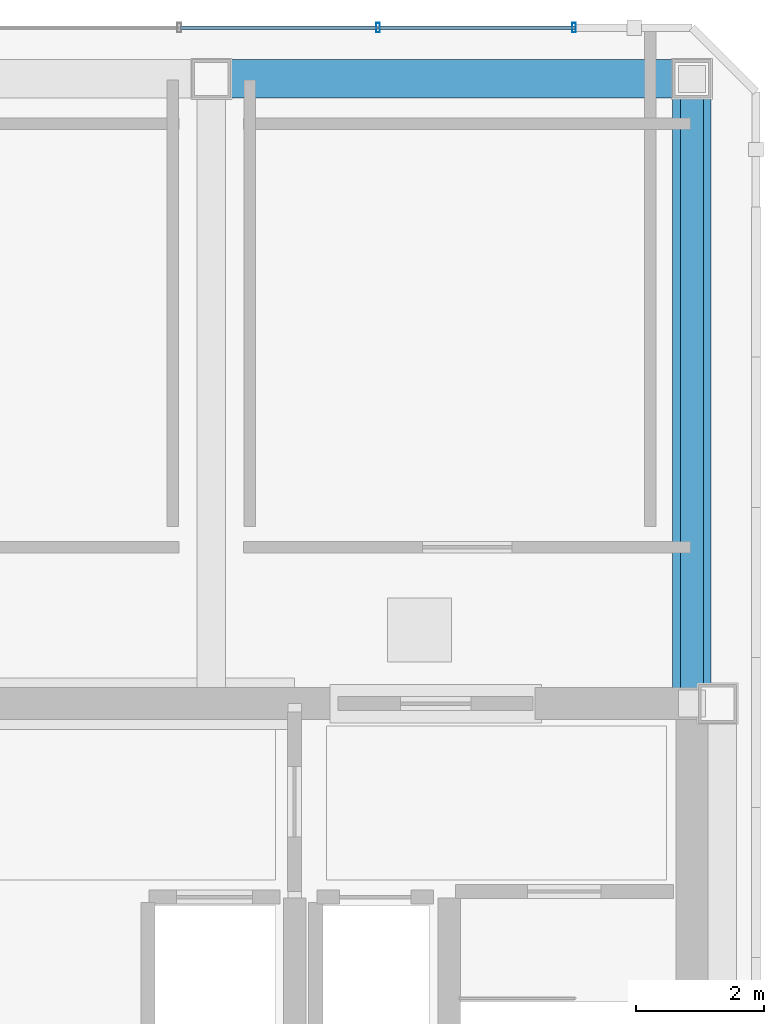
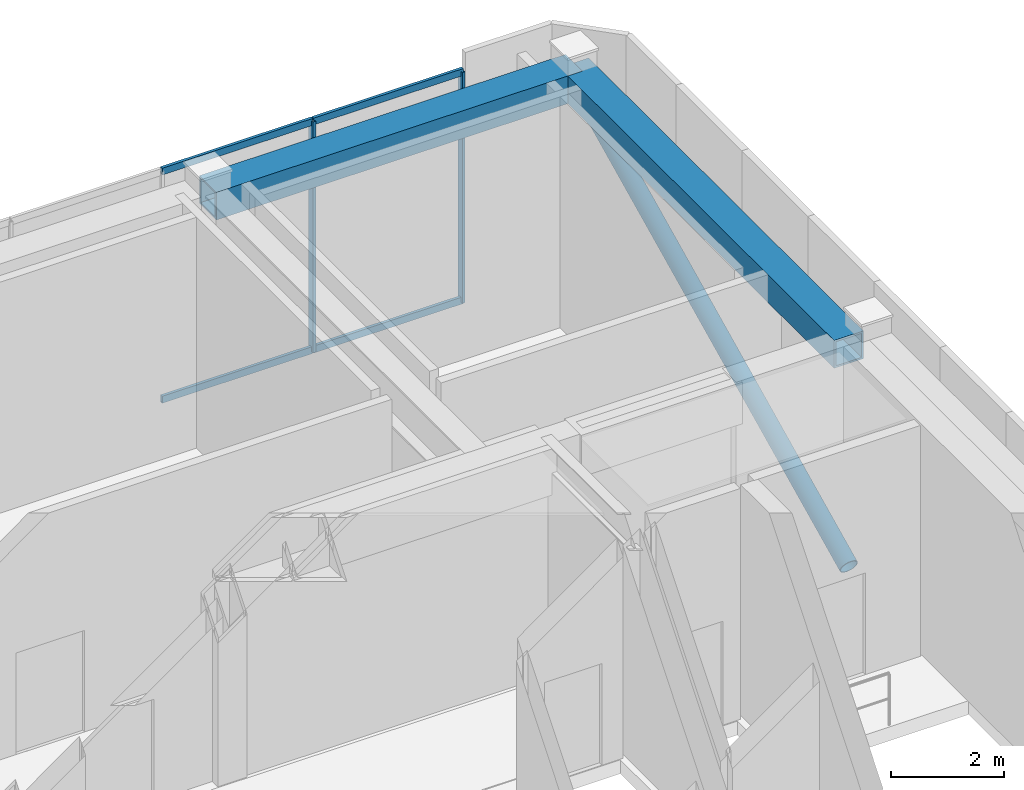
# One storey, part 6 of 9: 7 members, 2 beams, 1 element without a shape of its own.
"""IFC4 building model written with IfcOpenShell, lengths in metres."""

import ifcopenshell
import ifcopenshell.guid

model = None  # the IFC model being written
_history = None  # IfcOwnerHistory: only IFC2X3 demands one
_inside = {}  # id of a spatial element -> (the spatial element, [elements in it])
_under = {}  # id of a project, library or spatial element -> (it, [spatial elements below it])
_declared = {}  # id of a project -> (the project, [libraries it declares])
_typed = {}  # id of a type object -> (the type object, [elements of that type])
_made_of = {}  # id of a material, layer set ... -> (it, [elements and type objects made of it])


def new_model(schema):
    """Start an empty IFC model of exactly this schema.

    Asked for "IFC4X3", IfcOpenShell would pick the latest addendum, in which some entities
    have other attributes; the version numbers below select the first issue.
    IFC2X3 requires an IfcOwnerHistory on every rooted entity: one is made here for all.
    """
    global model, _history
    if schema == "IFC4X3":
        model = ifcopenshell.file(schema_version=(4, 3, 0, 0))
    else:
        model = ifcopenshell.file(schema=schema)
    _inside.clear()
    _under.clear()
    _declared.clear()
    _typed.clear()
    _made_of.clear()
    _history = None
    if model.schema == "IFC2X3":
        org = make("IfcOrganization", Name="unknown")
        user = make(
            "IfcPersonAndOrganization",
            ThePerson=make("IfcPerson", FamilyName="unknown"),
            TheOrganization=org,
        )
        app = make(
            "IfcApplication",
            ApplicationDeveloper=org,
            Version="unknown",
            ApplicationFullName="unknown",
            ApplicationIdentifier="unknown",
        )
        _history = make(
            "IfcOwnerHistory",
            OwningUser=user,
            OwningApplication=app,
            ChangeAction="ADDED",
            CreationDate=0,
        )
    return model


def make(cls, **values):
    """One entity of the class cls with the attributes given. An attribute that is None is left unset."""
    return model.create_entity(
        cls, **{name: value for name, value in values.items() if value is not None}
    )


def rooted(cls, **values):
    """An entity with a GlobalId (a new one), such as an element, a storey or a relation."""
    return make(cls, GlobalId=ifcopenshell.guid.new(), OwnerHistory=_history, **values)


def si_unit(unit_type, name, prefix=None):
    """IfcSIUnit, for example si_unit("LENGTHUNIT", "METRE", prefix="MILLI")."""
    return make("IfcSIUnit", UnitType=unit_type, Prefix=prefix, Name=name)


def assignment(units):
    """IfcUnitAssignment: the units of a project."""
    return None if units is None else make("IfcUnitAssignment", Units=units)


def point(xyz):
    """IfcCartesianPoint."""
    return None if xyz is None else make("IfcCartesianPoint", Coordinates=xyz)


def direction(xyz):
    """IfcDirection."""
    return None if xyz is None else make("IfcDirection", DirectionRatios=xyz)


def frame(location, z_axis=None, x_axis=None):
    """IfcAxis2Placement3D, a coordinate frame: its origin and axes. An axis left out is left unset."""
    return make(
        "IfcAxis2Placement3D",
        Location=point(location),
        Axis=direction(z_axis),
        RefDirection=direction(x_axis),
    )


def frame_2d(location, x_axis=None):
    """IfcAxis2Placement2D, a coordinate frame in the plane: its origin and x axis."""
    return make(
        "IfcAxis2Placement2D", Location=point(location), RefDirection=direction(x_axis)
    )


def origin():
    """The frame at (0, 0, 0) with its axes left unset."""
    return frame((0.0, 0.0, 0.0))


def origin_2d():
    """The frame at (0, 0) in the plane with its x axis left unset."""
    return frame_2d((0.0, 0.0))


def place(relative_to, where):
    """IfcLocalPlacement: puts the frame where relative to a parent placement (None: the world)."""
    return make(
        "IfcLocalPlacement", PlacementRelTo=relative_to, RelativePlacement=where
    )


def context(
    kind, dimensions, precision=None, world=None, true_north=None, identifier=None
):
    """IfcGeometricRepresentationContext, for example the 3D "Model" context."""
    return make(
        "IfcGeometricRepresentationContext",
        ContextIdentifier=identifier,
        ContextType=kind,
        CoordinateSpaceDimension=dimensions,
        Precision=precision,
        WorldCoordinateSystem=world,
        TrueNorth=true_north,
    )


def subcontext(parent, identifier, kind, view, scale=None):
    """IfcGeometricRepresentationSubContext, for example "Body" below "Model"."""
    return make(
        "IfcGeometricRepresentationSubContext",
        ContextIdentifier=identifier,
        ContextType=kind,
        ParentContext=parent,
        TargetScale=scale,
        TargetView=view,
    )


def project(units=None, contexts=None):
    """IfcProject with its units and contexts."""
    return rooted(
        "IfcProject",
        Name="project",
        RepresentationContexts=contexts,
        UnitsInContext=assignment(units),
    )


def spatial(cls, under=None, at=None, **own):
    """A site, building, storey or space (cls), placed at a placement, below another one or the project."""
    s = rooted(cls, ObjectPlacement=at, **own)
    if under is not None:
        _under.setdefault(under.id(), (under, []))[1].append(s)
    return s


def profile(cls, at=None, kind="AREA", **sizes):
    """A parametric profile (cls). Its sizes go by their IFC names, for example OverallWidth=200.0."""
    return make(cls, ProfileType=kind, Position=at, **sizes)


def hollow_rectangle(**sizes):
    """IfcRectangleHollowProfileDef."""
    return profile("IfcRectangleHollowProfileDef", **sizes)


def hollow_circle(**sizes):
    """IfcCircleHollowProfileDef."""
    return profile("IfcCircleHollowProfileDef", **sizes)


def extrude(swept, where, along, depth):
    """IfcExtrudedAreaSolid: the profile swept, set in the frame where, extruded along a direction by depth."""
    return make(
        "IfcExtrudedAreaSolid",
        SweptArea=swept,
        Position=where,
        ExtrudedDirection=direction(along),
        Depth=depth,
    )


def shape(context_of_items, identifier, shape_type, items):
    """IfcShapeRepresentation: the items that make up one representation, for example the "Body"."""
    return make(
        "IfcShapeRepresentation",
        ContextOfItems=context_of_items,
        RepresentationIdentifier=identifier,
        RepresentationType=shape_type,
        Items=items,
    )


def material(Name=None, Category=None):
    """IfcMaterial."""
    return make("IfcMaterial", Name=Name, Category=Category)


def material_profile(
    of_material, cross_section, Name=None, Category=None, Priority=None
):
    """IfcMaterialProfile: a cross section and its material."""
    return make(
        "IfcMaterialProfile",
        Name=Name,
        Material=of_material,
        Profile=cross_section,
        Priority=Priority,
        Category=Category,
    )


def profile_set(profiles, Name=None, composite=None):
    """IfcMaterialProfileSet."""
    return make(
        "IfcMaterialProfileSet",
        Name=Name,
        MaterialProfiles=profiles,
        CompositeProfile=composite,
    )


def made_of(thing, what):
    """Note that an element or type object is made of a material, layer set ...; save() writes the relation."""
    if what is not None:
        _made_of.setdefault(what.id(), (what, []))[1].append(thing)
    return thing


def type_object(cls, material=None, **own):
    """A type object (cls), such as IfcWallType, which elements share."""
    return made_of(rooted(cls, **own), material)


def element(
    cls,
    number,
    at=None,
    inside=None,
    cuts=None,
    type_object=None,
    material=None,
    context=None,
    identifier="Body",
    shape_type=None,
    held_by="IfcProductDefinitionShape",
    body=None,
    shapes=None,
    **own,
):
    """One element of the class cls, such as IfcWall. Its Tag is "e" and its number.

    at: its placement. inside: the storey or other place that contains it. cuts: it is an
    opening in that element (IfcRelVoidsElement). A single representation is given by context,
    identifier, shape_type and body (its items); several are given by shapes. held_by: the class
    of the entity that holds the representations. save() writes the other relations.
    """
    e = rooted(cls, Tag="e%d" % number, ObjectPlacement=at, **own)
    if body is not None:
        shapes = [shape(context, identifier, shape_type, body)]
    if shapes is not None:
        e.Representation = make(held_by, Representations=shapes)
    if inside is not None:
        _inside.setdefault(inside.id(), (inside, []))[1].append(e)
    if cuts is not None:
        rooted(
            "IfcRelVoidsElement", RelatingBuildingElement=cuts, RelatedOpeningElement=e
        )
    if type_object is not None:
        _typed.setdefault(type_object.id(), (type_object, []))[1].append(e)
    return made_of(e, material)


def aggregate(whole, parts):
    """IfcRelAggregates: a whole, such as a stair, and the parts it consists of."""
    return rooted("IfcRelAggregates", RelatingObject=whole, RelatedObjects=parts)


def save(model, path):
    """Write the relations noted so far, then the file.

    IfcRelAggregates (storeys below a building ...), IfcRelContainedInSpatialStructure (elements
    in a storey), IfcRelDefinesByType, IfcRelAssociatesMaterial and IfcRelDeclares: one each for
    every whole, place, type object, material and project.
    """
    for whole, parts in _under.values():
        aggregate(whole, parts)
    for where, things in _inside.values():
        rooted(
            "IfcRelContainedInSpatialStructure",
            RelatedElements=things,
            RelatingStructure=where,
        )
    for kind, things in _typed.values():
        rooted("IfcRelDefinesByType", RelatedObjects=things, RelatingType=kind)
    for what, things in _made_of.values():
        rooted("IfcRelAssociatesMaterial", RelatedObjects=things, RelatingMaterial=what)
    for by, libraries in _declared.values():
        rooted("IfcRelDeclares", RelatingContext=by, RelatedDefinitions=libraries)
    model.write(path)


model = new_model("IFC4")

# Units and contexts
model_context = context("Model", 3, precision=1e-05, world=origin(), true_north=direction((0.0, 1.0)))
body_context = subcontext(model_context, "Body", "Model", "MODEL_VIEW")
ifc_project = project(units=[si_unit("LENGTHUNIT", "METRE"), si_unit("AREAUNIT", "SQUARE_METRE"), si_unit("VOLUMEUNIT", "CUBIC_METRE"), si_unit("PLANEANGLEUNIT", "RADIAN"), si_unit("MASSUNIT", "GRAM", prefix="KILO")], contexts=[model_context])

# Site, building, storey
site_placement = place(None, origin())
site = spatial("IfcSite", under=ifc_project, at=site_placement, CompositionType="ELEMENT")
building_placement = place(site_placement, origin())
building = spatial("IfcBuilding", under=site, at=building_placement, Name="Ventersveld Concourse Tower", CompositionType="ELEMENT")
storey_placement = place(building_placement, frame((0.0, 0.0, 388.25)))
storey = spatial("IfcBuildingStorey", under=building, at=storey_placement, Name="L94", CompositionType="ELEMENT", Elevation=388.25)

# Member
ifc_material_1 = material(Name="Structural steel S355ML", Category="steel")
ifc_material_profile_1 = material_profile(ifc_material_1, hollow_circle(Radius=0.177734375, WallThickness=0.01611328125, at=origin_2d()), Name="CHS 355.6x16")
ifc_profile_set_1 = profile_set([ifc_material_profile_1], Name="Structural steel S355ML")
member_type_1 = type_object("IfcMemberType", Name="CF-BR-355", PredefinedType="BRACE", material=ifc_profile_set_1)
member_1_placement = place(storey_placement, frame((43.75, 11.449951171875, 0.0), z_axis=(0.0, 0.900802714181, 0.434228592015), x_axis=(-1.0, 0.0, 0.0)))
element("IfcMember", 1, at=member_1_placement, inside=storey, type_object=member_type_1, Name="L94 CROWN FRAME Wind Brace 4", PredefinedType="BRACE", context=body_context, shape_type="SweptSolid", body=[
    extrude(hollow_circle(Radius=0.177734375, WallThickness=0.01611328125, at=origin_2d()), origin(), (0.0, 0.0, 1.0), 10.82373046875),
])

# Curtain wall, members
ifc_material_2 = material(Name="Anodised aluminium EN AW-6063-T6", Category="aluminium")
curtain_wall_type = type_object("IfcCurtainWallType", Name="CW-CRN-6", PredefinedType="NOTDEFINED", material=ifc_material_2)
curtain_wall_placement = place(storey_placement, origin())
curtain_wall = element("IfcCurtainWall", 2, at=curtain_wall_placement, inside=storey, type_object=curtain_wall_type, Name="L94 L94 Crown North Glazed Curtain Wall 1", PredefinedType="NOTDEFINED")
ifc_material_profile_2 = material_profile(ifc_material_2, hollow_rectangle(XDim=0.06005859375, YDim=0.14990234375, WallThickness=0.00390625, at=origin_2d()), Name="ALU 150x60x4")
ifc_profile_set_2 = profile_set([ifc_material_profile_2], Name="Anodised aluminium EN AW-6063-T6")
member_type_2 = type_object("IfcMemberType", Name="CWM-150x65", PredefinedType="MULLION", material=ifc_profile_set_2)
member_2_placement = place(storey_placement, frame((41.909912109375, 22.0, 0.0), z_axis=(0.0, 0.0, 1.0), x_axis=(1.0, 0.0, 0.0)))
member_2 = element("IfcMember", 3, at=member_2_placement, type_object=member_type_2, Name="CW-L94-N1 Mullion 01", PredefinedType="MULLION", context=body_context, shape_type="SweptSolid", body=[
    extrude(hollow_rectangle(XDim=0.06005859375, YDim=0.14990234375, WallThickness=0.00390625, at=origin_2d()), origin(), (0.0, 0.0, 1.0), 5.0),
])
member_3_placement = place(storey_placement, frame((38.85009765625, 22.0, 0.0), z_axis=(0.0, 0.0, 1.0), x_axis=(1.0, 0.0, 0.0)))
member_3 = element("IfcMember", 4, at=member_3_placement, type_object=member_type_2, Name="CW-L94-N1 Mullion 02", PredefinedType="MULLION", context=body_context, shape_type="SweptSolid", body=[
    extrude(hollow_rectangle(XDim=0.06005859375, YDim=0.14990234375, WallThickness=0.00390625, at=origin_2d()), origin(), (0.0, 0.0, 1.0), 5.0),
])
ifc_material_profile_3 = material_profile(ifc_material_2, hollow_rectangle(XDim=0.06005859375, YDim=0.14990234375, WallThickness=0.00390625, at=origin_2d()), Name="ALU 150x60x4")
ifc_profile_set_3 = profile_set([ifc_material_profile_3], Name="Anodised aluminium EN AW-6063-T6")
member_type_3 = type_object("IfcMemberType", Name="CWT-150x60", PredefinedType="USERDEFINED", material=ifc_profile_set_3)
member_4_placement = place(storey_placement, frame((41.929931640625, 22.0, 0.030029296875), z_axis=(-1.0, 0.0, 0.0), x_axis=(0.0, -1.0, 0.0)))
member_4 = element("IfcMember", 5, at=member_4_placement, type_object=member_type_3, Name="CW-L94-N1 Transom 1-01", ObjectType="TRANSOM", PredefinedType="USERDEFINED", context=body_context, shape_type="SweptSolid", body=[
    extrude(hollow_rectangle(XDim=0.06005859375, YDim=0.14990234375, WallThickness=0.00390625, at=origin_2d()), origin(), (0.0, 0.0, 1.0), 3.06982421875),
])
member_5_placement = place(storey_placement, frame((38.840087890625, 22.0, 0.030029296875), z_axis=(-1.0, 0.0, 0.0), x_axis=(0.0, -1.0, 0.0)))
member_5 = element("IfcMember", 6, at=member_5_placement, type_object=member_type_3, Name="CW-L94-N1 Transom 1-02", ObjectType="TRANSOM", PredefinedType="USERDEFINED", context=body_context, shape_type="SweptSolid", body=[
    extrude(hollow_rectangle(XDim=0.06005859375, YDim=0.14990234375, WallThickness=0.00390625, at=origin_2d()), origin(), (0.0, 0.0, 1.0), 3.080078125),
])
member_6_placement = place(storey_placement, frame((41.929931640625, 22.0, 4.969970703125), z_axis=(-1.0, 0.0, 0.0), x_axis=(0.0, -1.0, 0.0)))
member_6 = element("IfcMember", 7, at=member_6_placement, type_object=member_type_3, Name="CW-L94-N1 Transom 2-01", ObjectType="TRANSOM", PredefinedType="USERDEFINED", context=body_context, shape_type="SweptSolid", body=[
    extrude(hollow_rectangle(XDim=0.06005859375, YDim=0.14990234375, WallThickness=0.00390625, at=origin_2d()), origin(), (0.0, 0.0, 1.0), 3.06982421875),
])
member_7_placement = place(storey_placement, frame((38.840087890625, 22.0, 4.969970703125), z_axis=(-1.0, 0.0, 0.0), x_axis=(0.0, -1.0, 0.0)))
member_7 = element("IfcMember", 8, at=member_7_placement, type_object=member_type_3, Name="CW-L94-N1 Transom 2-02", ObjectType="TRANSOM", PredefinedType="USERDEFINED", context=body_context, shape_type="SweptSolid", body=[
    extrude(hollow_rectangle(XDim=0.06005859375, YDim=0.14990234375, WallThickness=0.00390625, at=origin_2d()), origin(), (0.0, 0.0, 1.0), 3.080078125),
])
aggregate(curtain_wall, [member_2, member_3, member_4, member_5, member_6, member_7])

# Beams
ifc_material_profile_4 = material_profile(ifc_material_1, hollow_rectangle(XDim=0.60009765625, YDim=0.60009765625, WallThickness=0.0400390625, at=origin_2d()), Name="BOX 600x600x40")
ifc_profile_set_4 = profile_set([ifc_material_profile_4], Name="Structural steel S355ML")
beam_type = type_object("IfcBeamType", Name="SPD-BOX600", PredefinedType="SPANDREL", material=ifc_profile_set_4)
beam_1_placement = place(storey_placement, frame((43.75, 11.449951171875, 4.699951171875), z_axis=(0.0, 1.0, 0.0), x_axis=(-1.0, 0.0, 0.0)))
element("IfcBeam", 9, at=beam_1_placement, inside=storey, type_object=beam_type, Name="L94 CROWN FRAME Perimeter Ring Beam 3", PredefinedType="SPANDREL", context=body_context, shape_type="SweptSolid", body=[
    extrude(hollow_rectangle(XDim=0.60009765625, YDim=0.60009765625, WallThickness=0.0400390625, at=origin_2d()), origin(), (0.0, 0.0, 1.0), 9.75),
])
beam_2_placement = place(storey_placement, frame((43.75, 21.199951171875, 4.699951171875), z_axis=(-1.0, 0.0, 0.0), x_axis=(0.0, -1.0, 0.0)))
element("IfcBeam", 10, at=beam_2_placement, inside=storey, type_object=beam_type, Name="L94 CROWN FRAME Perimeter Ring Beam 4", PredefinedType="SPANDREL", context=body_context, shape_type="SweptSolid", body=[
    extrude(hollow_rectangle(XDim=0.60009765625, YDim=0.60009765625, WallThickness=0.0400390625, at=origin_2d()), origin(), (0.0, 0.0, 1.0), 7.5),
])

save(model, "model.ifc")
